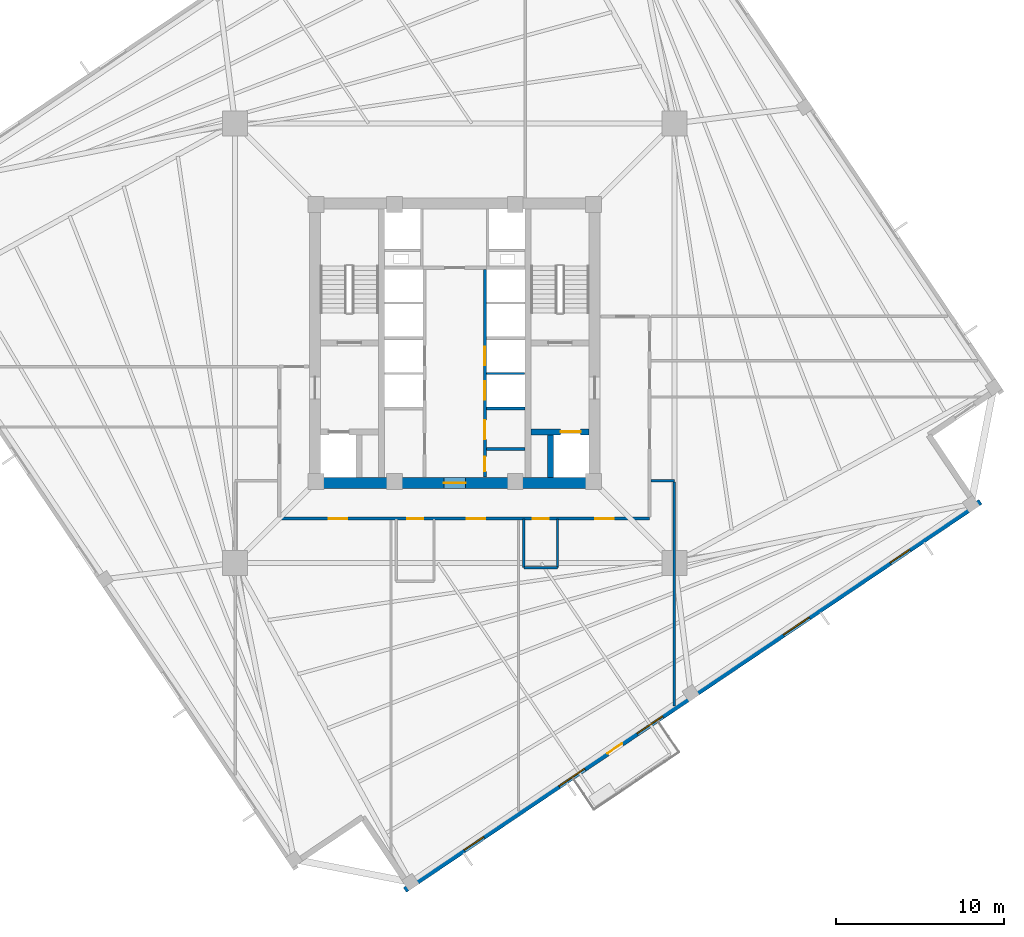
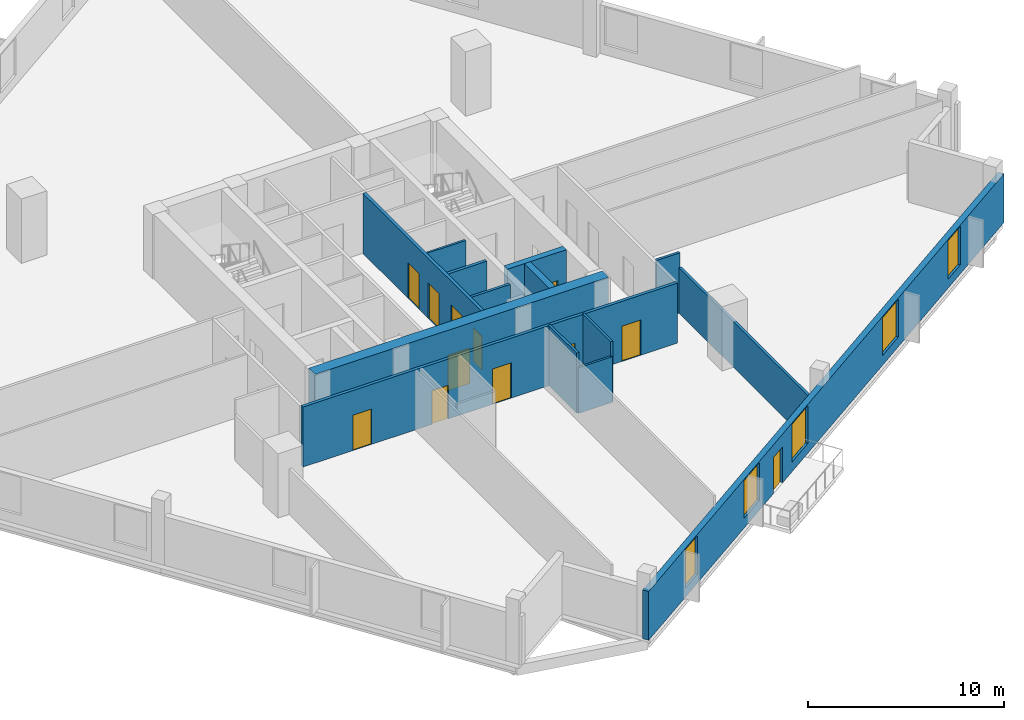
# One storey, part 3 of 8: 14 walls, 12 doors, 5 windows, 17 openings.
"""IFC4 building model written with IfcOpenShell, lengths in metres."""

from ifc_helpers import new_model, si_unit, direction, frame, frame_2d, origin, place, context, subcontext, project, spatial, rectangle, extrude, source, transform, mapped, material, layer, layer_set, type_object, element, fill, save


model = new_model("IFC4")

# Units and contexts
model_context = context("Model", 3, precision=1e-05, world=origin(), true_north=direction((0.0, 1.0)))
body_context = subcontext(model_context, "Body", "Model", "MODEL_VIEW")
ifc_project = project(units=[si_unit("LENGTHUNIT", "METRE"), si_unit("AREAUNIT", "SQUARE_METRE"), si_unit("VOLUMEUNIT", "CUBIC_METRE"), si_unit("PLANEANGLEUNIT", "RADIAN"), si_unit("MASSUNIT", "GRAM", prefix="KILO"), si_unit("THERMODYNAMICTEMPERATUREUNIT", "KELVIN")], contexts=[model_context])

# Site, building, storey
site_placement = place(None, origin())
site = spatial("IfcSite", under=ifc_project, at=site_placement, CompositionType="ELEMENT")
building_placement = place(site_placement, origin())
building = spatial("IfcBuilding", under=site, at=building_placement, Name="Kosmvard Interchange Tower", CompositionType="ELEMENT")
storey_placement = place(building_placement, frame((0.0, 0.0, 176.39990234375)))
storey = spatial("IfcBuildingStorey", under=building, at=storey_placement, Name="L42", CompositionType="ELEMENT", Elevation=176.39990234375)

# Walls
ifc_material_1 = material(Name="Acoustic gypsum partition system")
ifc_layer_1 = layer(ifc_material_1, 0.14990234375, Name="Acoustic gypsum partition system")
ifc_layer_set_1 = layer_set([ifc_layer_1], Name="Acoustic gypsum partition system")
wall_type_1 = type_object("IfcWallType", Name="Acoustic Suite & Meeting Partition 150", PredefinedType="PARTITIONING", material=ifc_layer_set_1)
wall_1_placement = place(storey_placement, frame((11.695068359375, -8.199951171875, 0.0), z_axis=(0.0, 0.0, 1.0), x_axis=(1.0, 0.0, 0.0)))
element("IfcWall", 1, at=wall_1_placement, inside=storey, type_object=wall_type_1, Name="L42 Room Partition 10.1", PredefinedType="PARTITIONING", context=body_context, shape_type="SweptSolid", body=[
    extrude(rectangle(XDim=1.385986328125, YDim=0.14990234375, at=frame_2d((0.69287109375, 0.0))), origin(), (0.0, 0.0, 1.0), 3.739990234375),
])
wall_2_placement = place(storey_placement, frame((13.0810546875, -8.27490234375, 0.0), z_axis=(0.0, 0.0, 1.0), x_axis=(0.0, -1.0, 0.0)))
element("IfcWall", 2, at=wall_2_placement, inside=storey, type_object=wall_type_1, Name="L42 Room Partition 11.1", PredefinedType="PARTITIONING", context=body_context, shape_type="SweptSolid", body=[
    extrude(rectangle(XDim=13.32861328125, YDim=0.14990234375, at=frame_2d((6.664306640625, 0.0))), origin(), (0.0, 0.0, 1.0), 2.840087890625),
])
ifc_material_2 = material(Name="Fire-rated gypsum partition system")
ifc_layer_2 = layer(ifc_material_2, 0.159912109375, Name="Fire-rated gypsum partition system")
ifc_layer_set_2 = layer_set([ifc_layer_2], Name="Fire-rated gypsum partition system")
wall_type_2 = type_object("IfcWallType", Name="Core Compartment & Shuttle Lobby Partition 160", PredefinedType="PARTITIONING", material=ifc_layer_set_2)
wall_3_placement = place(storey_placement, frame((1.889892578125, -6.300048828125, 0.0), z_axis=(0.0, 0.0, 1.0), x_axis=(1.0, 0.0, 0.0)))
element("IfcWall", 3, at=wall_3_placement, inside=storey, type_object=wall_type_2, Name="L42 Reclaimed Split E", PredefinedType="PARTITIONING", context=body_context, shape_type="SweptSolid", body=[
    extrude(rectangle(XDim=2.280029296875, YDim=0.159912109375, at=frame_2d((1.14013671875, 0.0))), origin(), (0.0, 0.0, 1.0), 3.739990234375),
])

# Wall, openings, doors
ifc_layer_3 = layer(ifc_material_2, 0.179931640625, Name="Fire-rated gypsum partition system")
ifc_layer_set_3 = layer_set([ifc_layer_3], Name="Fire-rated gypsum partition system")
wall_type_3 = type_object("IfcWallType", Name="Corridor & Hotel Compartment Partition 180", PredefinedType="PARTITIONING", material=ifc_layer_set_3)
wall_4_placement = place(storey_placement, frame((1.7900390625, -7.97998046875, 0.0), z_axis=(0.0, 0.0, 1.0), x_axis=(0.0, 1.0, 0.0)))
wall_4 = element("IfcWall", 4, at=wall_4_placement, inside=storey, type_object=wall_type_3, Name="L42 East Lift Bank Front Wall", PredefinedType="PARTITIONING", context=body_context, shape_type="SweptSolid", body=[
    extrude(rectangle(XDim=12.3798828125, YDim=0.179931640625, at=frame_2d((6.18994140625, 0.0))), origin(), (0.0, 0.0, 1.0), 3.739990234375),
])
opening_1_placement = place(wall_4_placement, frame((4.60009765625, 0.0, 0.0)))
opening_1 = element("IfcOpeningElement", 5, at=opening_1_placement, cuts=wall_4, Name="Opening LD-PL-M3-L42", PredefinedType="OPENING", context=body_context, shape_type="SweptSolid", body=[
    extrude(rectangle(XDim=1.10009765625, YDim=2.199951171875, at=frame_2d((0.550048828125, 1.10009765625))), frame((0.0, 0.10009765625, 0.0), z_axis=(0.0, -1.0, 0.0), x_axis=(1.0, 0.0, 0.0)), (0.0, 0.0, 1.0), 0.199951171875),
])
opening_2_placement = place(wall_4_placement, frame((6.659912109375, 0.0, 0.0)))
opening_2 = element("IfcOpeningElement", 6, at=opening_2_placement, cuts=wall_4, Name="Opening LD-PL-M4-L42", PredefinedType="OPENING", context=body_context, shape_type="SweptSolid", body=[
    extrude(rectangle(XDim=1.10009765625, YDim=2.199951171875, at=frame_2d((0.550048828125, 1.10009765625))), frame((0.0, 0.10009765625, 0.0), z_axis=(0.0, -1.0, 0.0), x_axis=(1.0, 0.0, 0.0)), (0.0, 0.0, 1.0), 0.199951171875),
])
opening_3_placement = place(wall_4_placement, frame((0.35009765625, 0.0, 0.0)))
opening_3 = element("IfcOpeningElement", 7, at=opening_3_placement, cuts=wall_4, Name="Opening L42-CD2", PredefinedType="OPENING", context=body_context, shape_type="SweptSolid", body=[
    extrude(rectangle(XDim=0.8798828125, YDim=2.10009765625, at=frame_2d((0.43994140625, 1.050048828125))), frame((0.0, 0.10009765625, 0.0), z_axis=(0.0, -1.0, 0.0), x_axis=(1.0, 0.0, 0.0)), (0.0, 0.0, 1.0), 0.199951171875),
])
opening_4_placement = place(wall_4_placement, frame((2.25, 0.0, 0.0)))
opening_4 = element("IfcOpeningElement", 8, at=opening_4_placement, cuts=wall_4, Name="Opening L42-CD3", PredefinedType="OPENING", context=body_context, shape_type="SweptSolid", body=[
    extrude(rectangle(XDim=1.14990234375, YDim=2.25, at=frame_2d((0.574951171875, 1.125))), frame((0.0, 0.10009765625, 0.0), z_axis=(0.0, -1.0, 0.0), x_axis=(1.0, 0.0, 0.0)), (0.0, 0.0, 1.0), 0.199951171875),
])
ifc_material_3 = material(Name="Painted fire-rated steel leaf", Category="steel")
door_type_1 = type_object("IfcDoorType", Name="Plant & Riser Fire Door 1150x2250 EI60", OperationType="NOTDEFINED", PredefinedType="DOOR", material=ifc_material_3)
shared_shape_1 = source(origin(), body_context, "Body", "SweptSolid", [
    extrude(rectangle(XDim=1.14990234375, YDim=2.25, at=frame_2d((0.574951171875, 1.125))), frame((0.0, 0.02490234375, 0.0), z_axis=(0.0, -1.0, 0.0), x_axis=(1.0, 0.0, 0.0)), (0.0, 0.0, 1.0), 0.050048828125),
])
door_1_placement = place(opening_4_placement, frame((1.14990234375, 0.0, 0.0), z_axis=(0.0, 0.0, 1.0), x_axis=(-1.0, 0.0, 0.0)))
door_1 = element("IfcDoor", 9, at=door_1_placement, inside=storey, type_object=door_type_1, Name="L42 Core Pantry Door", OperationType="SINGLE_SWING_LEFT", OverallHeight=2.25, OverallWidth=1.14990234375, PredefinedType="DOOR", context=body_context, shape_type="MappedRepresentation", body=[
    mapped(shared_shape_1, transform((0.0, 0.0, 0.0), scale=1.0)),
])
fill(opening_4, door_1)
ifc_material_4 = material(Name="Brushed stainless steel sliding leaf", Category="steel")
door_type_2 = type_object("IfcDoorType", Name="Passenger Lift Sliding Landing Door 1100x2200 EI60", OperationType="DOUBLE_DOOR_SLIDING", PredefinedType="DOOR", material=ifc_material_4)
shared_shape_2 = source(origin(), body_context, "Body", "SweptSolid", [
    extrude(rectangle(XDim=1.10009765625, YDim=2.199951171875, at=frame_2d((0.550048828125, 1.10009765625))), frame((0.0, 0.02490234375, 0.0), z_axis=(0.0, -1.0, 0.0), x_axis=(1.0, 0.0, 0.0)), (0.0, 0.0, 1.0), 0.050048828125),
])
door_2_placement = place(opening_1_placement, origin())
door_2 = element("IfcDoor", 10, at=door_2_placement, inside=storey, type_object=door_type_2, Name="Lift PL-M3 Landing Door L42", OperationType="DOUBLE_DOOR_SLIDING", OverallHeight=2.199951171875, OverallWidth=1.10009765625, PredefinedType="DOOR", context=body_context, shape_type="MappedRepresentation", body=[
    mapped(shared_shape_2, transform((0.0, 0.0, 0.0), scale=1.0)),
])
fill(opening_1, door_2)
door_3_placement = place(opening_2_placement, origin())
door_3 = element("IfcDoor", 11, at=door_3_placement, inside=storey, type_object=door_type_2, Name="Lift PL-M4 Landing Door L42", OperationType="DOUBLE_DOOR_SLIDING", OverallHeight=2.199951171875, OverallWidth=1.10009765625, PredefinedType="DOOR", context=body_context, shape_type="MappedRepresentation", body=[
    mapped(shared_shape_2, transform((0.0, 0.0, 0.0), scale=1.0)),
])
fill(opening_2, door_3)
ifc_material_5 = material(Name="Painted fire-rated timber leaf", Category="wood")
door_type_3 = type_object("IfcDoorType", Name="Core Cupboard Fire Door 880x2100 EI30", OperationType="NOTDEFINED", PredefinedType="DOOR", material=ifc_material_5)
shared_shape_3 = source(origin(), body_context, "Body", "SweptSolid", [
    extrude(rectangle(XDim=0.8798828125, YDim=2.10009765625, at=frame_2d((0.43994140625, 1.050048828125))), frame((0.0, 0.02490234375, 0.0), z_axis=(0.0, -1.0, 0.0), x_axis=(1.0, 0.0, 0.0)), (0.0, 0.0, 1.0), 0.050048828125),
])
door_4_placement = place(opening_3_placement, frame((0.8798828125, 0.0, 0.0), z_axis=(0.0, 0.0, 1.0), x_axis=(-1.0, 0.0, 0.0)))
door_4 = element("IfcDoor", 12, at=door_4_placement, inside=storey, type_object=door_type_3, Name="L42 Core Cleaner Door", OperationType="SINGLE_SWING_RIGHT", OverallHeight=2.10009765625, OverallWidth=0.8798828125, PredefinedType="DOOR", context=body_context, shape_type="MappedRepresentation", body=[
    mapped(shared_shape_3, transform((0.0, 0.0, 0.0), scale=1.0)),
])
fill(opening_3, door_4)

wall_5_placement = place(storey_placement, frame((-10.449951171875, -10.449951171875, 0.0), z_axis=(0.0, 0.0, 1.0), x_axis=(1.0, 0.0, 0.0)))
wall_5 = element("IfcWall", 13, at=wall_5_placement, inside=storey, type_object=wall_type_3, Name="L42 Corridor Wall CS", PredefinedType="PARTITIONING", context=body_context, shape_type="SweptSolid", body=[
    extrude(rectangle(XDim=22.050048828125, YDim=0.179931640625, at=frame_2d((11.02490234375, 0.0))), origin(), (0.0, 0.0, 1.0), 3.739990234375),
])
opening_5_placement = place(wall_5_placement, frame((15.086181640625, 0.0, 0.0)))
opening_5 = element("IfcOpeningElement", 14, at=opening_5_placement, cuts=wall_5, Name="Opening L42-D01", PredefinedType="OPENING", context=body_context, shape_type="SweptSolid", body=[
    extrude(rectangle(XDim=0.949951171875, YDim=2.10009765625, at=frame_2d((0.47509765625, 1.050048828125))), frame((0.0, 0.10009765625, 0.0), z_axis=(0.0, -1.0, 0.0), x_axis=(1.0, 0.0, 0.0)), (0.0, 0.0, 1.0), 0.199951171875),
])
opening_6_placement = place(wall_5_placement, frame((7.611083984375, 0.0, 0.0)))
opening_6 = element("IfcOpeningElement", 15, at=opening_6_placement, cuts=wall_5, Name="Opening L42-D02", PredefinedType="OPENING", context=body_context, shape_type="SweptSolid", body=[
    extrude(rectangle(XDim=0.949951171875, YDim=2.10009765625, at=frame_2d((0.47509765625, 1.050048828125))), frame((0.0, 0.10009765625, 0.0), z_axis=(0.0, -1.0, 0.0), x_axis=(1.0, 0.0, 0.0)), (0.0, 0.0, 1.0), 0.199951171875),
])
opening_7_placement = place(wall_5_placement, frame((2.939453125, 0.0, 0.0)))
opening_7 = element("IfcOpeningElement", 16, at=opening_7_placement, cuts=wall_5, Name="Opening L42-D08", PredefinedType="OPENING", context=body_context, shape_type="SweptSolid", body=[
    extrude(rectangle(XDim=1.10009765625, YDim=2.199951171875, at=frame_2d((0.550048828125, 1.10009765625))), frame((0.0, 0.10009765625, 0.0), z_axis=(0.0, -1.0, 0.0), x_axis=(1.0, 0.0, 0.0)), (0.0, 0.0, 1.0), 0.199951171875),
])
opening_8_placement = place(wall_5_placement, frame((11.174560546875, 0.0, 0.0)))
opening_8 = element("IfcOpeningElement", 17, at=opening_8_placement, cuts=wall_5, Name="Opening L42-D09", PredefinedType="OPENING", context=body_context, shape_type="SweptSolid", body=[
    extrude(rectangle(XDim=1.10009765625, YDim=2.199951171875, at=frame_2d((0.550048828125, 1.10009765625))), frame((0.0, 0.10009765625, 0.0), z_axis=(0.0, -1.0, 0.0), x_axis=(1.0, 0.0, 0.0)), (0.0, 0.0, 1.0), 0.199951171875),
])
opening_9_placement = place(wall_5_placement, frame((18.80517578125, 0.0, 0.0)))
opening_9 = element("IfcOpeningElement", 18, at=opening_9_placement, cuts=wall_5, Name="Opening L42-D10", PredefinedType="OPENING", context=body_context, shape_type="SweptSolid", body=[
    extrude(rectangle(XDim=1.10009765625, YDim=2.199951171875, at=frame_2d((0.550048828125, 1.10009765625))), frame((0.0, 0.10009765625, 0.0), z_axis=(0.0, -1.0, 0.0), x_axis=(1.0, 0.0, 0.0)), (0.0, 0.0, 1.0), 0.199951171875),
])
ifc_material_6 = material(Name="Laminated moisture-resistant timber", Category="wood")
door_type_4 = type_object("IfcDoorType", Name="Accessible Washroom Door 950x2100", OperationType="NOTDEFINED", PredefinedType="DOOR", material=ifc_material_6)
shared_shape_4 = source(origin(), body_context, "Body", "SweptSolid", [
    extrude(rectangle(XDim=0.949951171875, YDim=2.10009765625, at=frame_2d((0.47509765625, 1.050048828125))), frame((0.0, 0.02490234375, 0.0), z_axis=(0.0, -1.0, 0.0), x_axis=(1.0, 0.0, 0.0)), (0.0, 0.0, 1.0), 0.050048828125),
])
door_5_placement = place(opening_5_placement, frame((0.949951171875, 0.0, 0.0), z_axis=(0.0, 0.0, 1.0), x_axis=(-1.0, 0.0, 0.0)))
door_5 = element("IfcDoor", 19, at=door_5_placement, inside=storey, type_object=door_type_4, Name="L42 Accessible Toilet Door", OperationType="SINGLE_SWING_LEFT", OverallHeight=2.10009765625, OverallWidth=0.949951171875, PredefinedType="DOOR", context=body_context, shape_type="MappedRepresentation", body=[
    mapped(shared_shape_4, transform((0.0, 0.0, 0.0), scale=1.0)),
])
fill(opening_5, door_5)
door_6_placement = place(opening_6_placement, frame((0.949951171875, 0.0, 0.0), z_axis=(0.0, 0.0, 1.0), x_axis=(-1.0, 0.0, 0.0)))
door_6 = element("IfcDoor", 20, at=door_6_placement, inside=storey, type_object=door_type_4, Name="L42 Public Floor Washroom Door", OperationType="SINGLE_SWING_RIGHT", OverallHeight=2.10009765625, OverallWidth=0.949951171875, PredefinedType="DOOR", context=body_context, shape_type="MappedRepresentation", body=[
    mapped(shared_shape_4, transform((0.0, 0.0, 0.0), scale=1.0)),
])
fill(opening_6, door_6)
ifc_material_7 = material(Name="Engineered oak fire-rated timber", Category="wood")
door_type_5 = type_object("IfcDoorType", Name="Office Suite Entrance Door 1100x2200 FD30S", OperationType="NOTDEFINED", PredefinedType="DOOR", material=ifc_material_7)
door_7_placement = place(opening_7_placement, frame((1.10009765625, 0.0, 0.0), z_axis=(0.0, 0.0, 1.0), x_axis=(-1.0, 0.0, 0.0)))
door_7 = element("IfcDoor", 21, at=door_7_placement, inside=storey, type_object=door_type_5, Name="L42 Trader Quiet Lounge Door", OperationType="SINGLE_SWING_RIGHT", OverallHeight=2.199951171875, OverallWidth=1.10009765625, PredefinedType="DOOR", context=body_context, shape_type="MappedRepresentation", body=[
    mapped(shared_shape_2, transform((0.0, 0.0, 0.0), scale=1.0)),
])
fill(opening_7, door_7)
door_8_placement = place(opening_8_placement, frame((1.10009765625, 0.0, 0.0), z_axis=(0.0, 0.0, 1.0), x_axis=(-1.0, 0.0, 0.0)))
door_8 = element("IfcDoor", 22, at=door_8_placement, inside=storey, type_object=door_type_5, Name="L42 Exchange Visitor Reception Door", OperationType="SINGLE_SWING_LEFT", OverallHeight=2.199951171875, OverallWidth=1.10009765625, PredefinedType="DOOR", context=body_context, shape_type="MappedRepresentation", body=[
    mapped(shared_shape_2, transform((0.0, 0.0, 0.0), scale=1.0)),
])
fill(opening_8, door_8)
door_9_placement = place(opening_9_placement, frame((1.10009765625, 0.0, 0.0), z_axis=(0.0, 0.0, 1.0), x_axis=(-1.0, 0.0, 0.0)))
door_9 = element("IfcDoor", 23, at=door_9_placement, inside=storey, type_object=door_type_5, Name="L42 Executive Study Room Door", OperationType="SINGLE_SWING_RIGHT", OverallHeight=2.199951171875, OverallWidth=1.10009765625, PredefinedType="DOOR", context=body_context, shape_type="MappedRepresentation", body=[
    mapped(shared_shape_2, transform((0.0, 0.0, 0.0), scale=1.0)),
])
fill(opening_9, door_9)

# Wall, opening, door
ifc_material_8 = material(Name="Concrete C70/85", Category="concrete")
ifc_layer_4 = layer(ifc_material_8, 0.64990234375, Name="Concrete C70/85")
ifc_layer_set_4 = layer_set([ifc_layer_4], Name="Concrete C70/85")
wall_type_4 = type_object("IfcWallType", Name="Mid Core Shear Wall 650 C70/85", PredefinedType="SHEAR", material=ifc_layer_set_4)
wall_6_placement = place(storey_placement, frame((-8.64990234375, -8.324951171875, 0.0), z_axis=(0.0, 0.0, 1.0), x_axis=(1.0, 0.0, 0.0)))
wall_6 = element("IfcWall", 24, at=wall_6_placement, inside=storey, type_object=wall_type_4, Name="L42 Core Shear Wall CW-S", PredefinedType="SHEAR", context=body_context, shape_type="SweptSolid", body=[
    extrude(rectangle(XDim=17.2998046875, YDim=0.64990234375, at=frame_2d((8.64990234375, 0.0))), origin(), (0.0, 0.0, 1.0), 4.0),
])
opening_10_placement = place(wall_6_placement, frame((8.0, 0.0, 0.0)))
opening_10 = element("IfcOpeningElement", 25, at=opening_10_placement, cuts=wall_6, Name="Opening L42-LD0", PredefinedType="OPENING", context=body_context, shape_type="SweptSolid", body=[
    extrude(rectangle(XDim=1.300048828125, YDim=2.199951171875, at=frame_2d((0.64990234375, 1.10009765625))), frame((0.0, 0.3349609375, 0.0), z_axis=(0.0, -1.0, 0.0), x_axis=(1.0, 0.0, 0.0)), (0.0, 0.0, 1.0), 0.669921875),
])
door_type_6 = type_object("IfcDoorType", Name="Firefighting Lobby Door 1300x2200 EI60", OperationType="NOTDEFINED", PredefinedType="DOOR", material=ifc_material_3)
shared_shape_5 = source(origin(), body_context, "Body", "SweptSolid", [
    extrude(rectangle(XDim=1.300048828125, YDim=2.199951171875, at=frame_2d((0.64990234375, 1.10009765625))), frame((0.0, 0.02490234375, 0.0), z_axis=(0.0, -1.0, 0.0), x_axis=(1.0, 0.0, 0.0)), (0.0, 0.0, 1.0), 0.050048828125),
])
door_10_placement = place(opening_10_placement, frame((1.300048828125, 0.0, 0.0), z_axis=(0.0, 0.0, 1.0), x_axis=(-1.0, 0.0, 0.0)))
door_10 = element("IfcDoor", 26, at=door_10_placement, inside=storey, type_object=door_type_6, Name="L42 Passenger Lift Lobby South Door", OperationType="SINGLE_SWING_RIGHT", OverallHeight=2.199951171875, OverallWidth=1.300048828125, PredefinedType="DOOR", context=body_context, shape_type="MappedRepresentation", body=[
    mapped(shared_shape_5, transform((0.0, 0.0, 0.0), scale=1.0)),
])
fill(opening_10, door_10)

# Wall, openings, door, windows
ifc_material_9 = material(Name="Precast concrete C45/55", Category="concrete")
ifc_layer_5 = layer(ifc_material_9, 0.340087890625, Name="Precast concrete C45/55")
ifc_layer_set_5 = layer_set([ifc_layer_5], Name="Precast concrete C45/55")
wall_type_5 = type_object("IfcWallType", Name="Mid Tower Precast Pier Wall 340 C45/55", PredefinedType="STANDARD", material=ifc_layer_set_5)
wall_7_placement = place(storey_placement, frame((-2.971923828125, -32.55810546875, 0.0), z_axis=(0.0, 0.0, 1.0), x_axis=(0.829036218961, 0.559194910251, 0.0)))
wall_7 = element("IfcWall", 27, at=wall_7_placement, inside=storey, type_object=wall_type_5, Name="L42 Precast Facade Wall F-S", PredefinedType="STANDARD", context=body_context, shape_type="SweptSolid", body=[
    extrude(rectangle(XDim=41.340087890625, YDim=0.340087890625, at=frame_2d((20.669921875, 0.0))), origin(), (0.0, 0.0, 1.0), 3.0400390625),
])
opening_11_placement = place(wall_7_placement, frame((14.544921875, 0.0, 0.0)))
opening_11 = element("IfcOpeningElement", 28, at=opening_11_placement, cuts=wall_7, Name="Opening L42-BDS", PredefinedType="OPENING", context=body_context, shape_type="SweptSolid", body=[
    extrude(rectangle(XDim=1.050048828125, YDim=2.25, at=frame_2d((0.52490234375, 1.125))), frame((0.0, 0.18017578125, 0.0), z_axis=(0.0, -1.0, 0.0), x_axis=(1.0, 0.0, 0.0)), (0.0, 0.0, 1.0), 0.360107421875),
])
opening_12_placement = place(wall_7_placement, frame((4.2607421875, 0.0, 0.56005859375)))
opening_12 = element("IfcOpeningElement", 29, at=opening_12_placement, cuts=wall_7, Name="Opening L42-W01", PredefinedType="OPENING", context=body_context, shape_type="SweptSolid", body=[
    extrude(rectangle(XDim=1.39990234375, YDim=2.39990234375, at=frame_2d((0.699951171875, 1.199951171875))), frame((0.0, 0.18017578125, 0.0), z_axis=(0.0, -1.0, 0.0), x_axis=(1.0, 0.0, 0.0)), (0.0, 0.0, 1.0), 0.360107421875),
])
opening_13_placement = place(wall_7_placement, frame((11.063720703125, 0.0, 0.610107421875)))
opening_13 = element("IfcOpeningElement", 30, at=opening_13_placement, cuts=wall_7, Name="Opening L42-W02", PredefinedType="OPENING", context=body_context, shape_type="SweptSolid", body=[
    extrude(rectangle(XDim=1.85009765625, YDim=2.35009765625, at=frame_2d((0.925048828125, 1.175048828125))), frame((0.0, 0.18017578125, 0.0), z_axis=(0.0, -1.0, 0.0), x_axis=(1.0, 0.0, 0.0)), (0.0, 0.0, 1.0), 0.360107421875),
])
opening_14_placement = place(wall_7_placement, frame((16.668212890625, 0.0, 0.610107421875)))
opening_14 = element("IfcOpeningElement", 31, at=opening_14_placement, cuts=wall_7, Name="Opening L42-W03", PredefinedType="OPENING", context=body_context, shape_type="SweptSolid", body=[
    extrude(rectangle(XDim=1.85009765625, YDim=2.35009765625, at=frame_2d((0.925048828125, 1.175048828125))), frame((0.0, 0.18017578125, 0.0), z_axis=(0.0, -1.0, 0.0), x_axis=(1.0, 0.0, 0.0)), (0.0, 0.0, 1.0), 0.360107421875),
])
opening_15_placement = place(wall_7_placement, frame((27.186279296875, 0.0, 0.610107421875)))
opening_15 = element("IfcOpeningElement", 32, at=opening_15_placement, cuts=wall_7, Name="Opening L42-W04", PredefinedType="OPENING", context=body_context, shape_type="SweptSolid", body=[
    extrude(rectangle(XDim=1.85009765625, YDim=2.35009765625, at=frame_2d((0.925048828125, 1.175048828125))), frame((0.0, 0.18017578125, 0.0), z_axis=(0.0, -1.0, 0.0), x_axis=(1.0, 0.0, 0.0)), (0.0, 0.0, 1.0), 0.360107421875),
])
opening_16_placement = place(wall_7_placement, frame((34.852294921875, 0.0, 0.56005859375)))
opening_16 = element("IfcOpeningElement", 33, at=opening_16_placement, cuts=wall_7, Name="Opening L42-W05", PredefinedType="OPENING", context=body_context, shape_type="SweptSolid", body=[
    extrude(rectangle(XDim=1.39990234375, YDim=2.39990234375, at=frame_2d((0.699951171875, 1.199951171875))), frame((0.0, 0.18017578125, 0.0), z_axis=(0.0, -1.0, 0.0), x_axis=(1.0, 0.0, 0.0)), (0.0, 0.0, 1.0), 0.360107421875),
])
ifc_material_10 = material(Name="Anodised aluminium and safety glass", Category="aluminium")
door_type_7 = type_object("IfcDoorType", Name="Tree-Balcony Glazed Door 1050x2250", OperationType="NOTDEFINED", PredefinedType="DOOR", material=ifc_material_10)
shared_shape_6 = source(origin(), body_context, "Body", "SweptSolid", [
    extrude(rectangle(XDim=1.050048828125, YDim=2.25, at=frame_2d((0.52490234375, 1.125))), frame((0.0, 0.02490234375, 0.0), z_axis=(0.0, -1.0, 0.0), x_axis=(1.0, 0.0, 0.0)), (0.0, 0.0, 1.0), 0.050048828125),
])
door_11_placement = place(opening_11_placement, origin())
door_11 = element("IfcDoor", 34, at=door_11_placement, inside=storey, type_object=door_type_7, Name="L42 Tree-Balcony Door BAL-L42-S", OperationType="SINGLE_SWING_LEFT", OverallHeight=2.25, OverallWidth=1.050048828125, PredefinedType="DOOR", context=body_context, shape_type="MappedRepresentation", body=[
    mapped(shared_shape_6, transform((0.0, 0.0, 0.0), scale=1.0)),
])
fill(opening_11, door_11)
ifc_material_11 = material(Name="Low-E solar-control double glazing", Category="glass")
window_type_1 = type_object("IfcWindowType", Name="Notched Corner Feature Window 1400x2400", PartitioningType="SINGLE_PANEL", PredefinedType="WINDOW", material=ifc_material_11)
shared_shape_7 = source(origin(), body_context, "Body", "SweptSolid", [
    extrude(rectangle(XDim=1.39990234375, YDim=2.39990234375, at=frame_2d((0.699951171875, 1.199951171875))), frame((0.0, 0.030029296875, 0.0), z_axis=(0.0, -1.0, 0.0), x_axis=(1.0, 0.0, 0.0)), (0.0, 0.0, 1.0), 0.06005859375),
])
window_1_placement = place(opening_12_placement, origin())
window_1 = element("IfcWindow", 35, at=window_1_placement, inside=storey, type_object=window_type_1, Name="L42 Facade Punched Window 01", OverallHeight=2.39990234375, OverallWidth=1.39990234375, PartitioningType="SINGLE_PANEL", PredefinedType="WINDOW", context=body_context, shape_type="MappedRepresentation", body=[
    mapped(shared_shape_7, transform((0.0, 0.0, 0.0), scale=1.0)),
])
fill(opening_12, window_1)
window_2_placement = place(opening_16_placement, origin())
window_2 = element("IfcWindow", 36, at=window_2_placement, inside=storey, type_object=window_type_1, Name="L42 Facade Punched Window 05", OverallHeight=2.39990234375, OverallWidth=1.39990234375, PartitioningType="SINGLE_PANEL", PredefinedType="WINDOW", context=body_context, shape_type="MappedRepresentation", body=[
    mapped(shared_shape_7, transform((0.0, 0.0, 0.0), scale=1.0)),
])
fill(opening_16, window_2)
window_type_2 = type_object("IfcWindowType", Name="Zone 3 Office Punched Window 1850x2350", PartitioningType="SINGLE_PANEL", PredefinedType="WINDOW", material=ifc_material_11)
shared_shape_8 = source(origin(), body_context, "Body", "SweptSolid", [
    extrude(rectangle(XDim=1.85009765625, YDim=2.35009765625, at=frame_2d((0.925048828125, 1.175048828125))), frame((0.0, 0.030029296875, 0.0), z_axis=(0.0, -1.0, 0.0), x_axis=(1.0, 0.0, 0.0)), (0.0, 0.0, 1.0), 0.06005859375),
])
window_3_placement = place(opening_13_placement, origin())
window_3 = element("IfcWindow", 37, at=window_3_placement, inside=storey, type_object=window_type_2, Name="L42 Facade Punched Window 02", OverallHeight=2.35009765625, OverallWidth=1.85009765625, PartitioningType="SINGLE_PANEL", PredefinedType="WINDOW", context=body_context, shape_type="MappedRepresentation", body=[
    mapped(shared_shape_8, transform((0.0, 0.0, 0.0), scale=1.0)),
])
fill(opening_13, window_3)
window_4_placement = place(opening_14_placement, origin())
window_4 = element("IfcWindow", 38, at=window_4_placement, inside=storey, type_object=window_type_2, Name="L42 Facade Punched Window 03", OverallHeight=2.35009765625, OverallWidth=1.85009765625, PartitioningType="SINGLE_PANEL", PredefinedType="WINDOW", context=body_context, shape_type="MappedRepresentation", body=[
    mapped(shared_shape_8, transform((0.0, 0.0, 0.0), scale=1.0)),
])
fill(opening_14, window_4)
window_5_placement = place(opening_15_placement, origin())
window_5 = element("IfcWindow", 39, at=window_5_placement, inside=storey, type_object=window_type_2, Name="L42 Facade Punched Window 04", OverallHeight=2.35009765625, OverallWidth=1.85009765625, PartitioningType="SINGLE_PANEL", PredefinedType="WINDOW", context=body_context, shape_type="MappedRepresentation", body=[
    mapped(shared_shape_8, transform((0.0, 0.0, 0.0), scale=1.0)),
])
fill(opening_15, window_5)

# Walls
ifc_material_12 = material(Name="Concrete blockwork masonry", Category="masonry")
ifc_layer_6 = layer(ifc_material_12, 0.179931640625, Name="Concrete blockwork masonry")
ifc_layer_set_6 = layer_set([ifc_layer_6], Name="Concrete blockwork masonry")
wall_type_6 = type_object("IfcWallType", Name="Riser & Lift Bank Divider Wall 180", PredefinedType="PARTITIONING", material=ifc_layer_set_6)
wall_8_placement = place(storey_placement, frame((1.889892578125, -3.89990234375, 0.0), z_axis=(0.0, 0.0, 1.0), x_axis=(1.0, 0.0, 0.0)))
element("IfcWall", 40, at=wall_8_placement, inside=storey, type_object=wall_type_6, Name="L42 East Bank Divider BD1", PredefinedType="PARTITIONING", context=body_context, shape_type="SweptSolid", body=[
    extrude(rectangle(XDim=2.280029296875, YDim=0.179931640625, at=frame_2d((1.14013671875, 0.0))), origin(), (0.0, 0.0, 1.0), 3.739990234375),
])
ifc_material_13 = material(Name="Fire-rated gypsum shaftwall system")
ifc_layer_7 = layer(ifc_material_13, 0.1201171875, Name="Fire-rated gypsum shaftwall system")
ifc_layer_set_7 = layer_set([ifc_layer_7], Name="Fire-rated gypsum shaftwall system")
wall_type_7 = type_object("IfcWallType", Name="Shaft & Riser Fire Partition 120 EI60", PredefinedType="PARTITIONING", material=ifc_layer_set_7)
wall_9_placement = place(storey_placement, frame((1.89990234375, -1.800048828125, 0.0), z_axis=(0.0, 0.0, 1.0), x_axis=(1.0, 0.0, 0.0)))
element("IfcWall", 41, at=wall_9_placement, inside=storey, type_object=wall_type_7, Name="L42 Shaft Divider PL-M3", PredefinedType="PARTITIONING", context=body_context, shape_type="SweptSolid", body=[
    extrude(rectangle(XDim=2.260009765625, YDim=0.1201171875, at=frame_2d((1.1298828125, 0.0))), origin(), (0.0, 0.0, 1.0), 3.739990234375),
])

# Wall, opening, door
ifc_material_14 = material(Name="Concrete C60/75", Category="concrete")
ifc_layer_8 = layer(ifc_material_14, 0.360107421875, Name="Concrete C60/75")
ifc_layer_set_8 = layer_set([ifc_layer_8], Name="Concrete C60/75")
wall_type_8 = type_object("IfcWallType", Name="Stair & Lift Shaft Shear Wall 360 C60/75", PredefinedType="SHEAR", material=ifc_layer_set_8)
wall_10_placement = place(storey_placement, frame((4.5400390625, -5.280029296875, 0.0), z_axis=(0.0, 0.0, 1.0), x_axis=(1.0, 0.0, 0.0)))
wall_10 = element("IfcWall", 42, at=wall_10_placement, inside=storey, type_object=wall_type_8, Name="L42 Shaft Shear Wall SW-FF2", PredefinedType="SHEAR", context=body_context, shape_type="SweptSolid", body=[
    extrude(rectangle(XDim=3.4599609375, YDim=0.360107421875, at=frame_2d((1.72998046875, 0.0))), origin(), (0.0, 0.0, 1.0), 4.0),
])
opening_17_placement = place(wall_10_placement, frame((1.760009765625, 0.0, 0.0)))
opening_17 = element("IfcOpeningElement", 43, at=opening_17_placement, cuts=wall_10, Name="Opening LD-FF-2-L42", PredefinedType="OPENING", context=body_context, shape_type="SweptSolid", body=[
    extrude(rectangle(XDim=1.199951171875, YDim=2.25, at=frame_2d((0.60009765625, 1.125))), frame((0.0, 0.18994140625, 0.0), z_axis=(0.0, -1.0, 0.0), x_axis=(1.0, 0.0, 0.0)), (0.0, 0.0, 1.0), 0.380126953125),
])
door_type_8 = type_object("IfcDoorType", Name="Firefighting Lift Sliding Landing Door 1200x2250 EI120", OperationType="DOUBLE_DOOR_SLIDING", PredefinedType="DOOR", material=ifc_material_4)
shared_shape_9 = source(origin(), body_context, "Body", "SweptSolid", [
    extrude(rectangle(XDim=1.199951171875, YDim=2.25, at=frame_2d((0.60009765625, 1.125))), frame((0.0, 0.02490234375, 0.0), z_axis=(0.0, -1.0, 0.0), x_axis=(1.0, 0.0, 0.0)), (0.0, 0.0, 1.0), 0.050048828125),
])
door_12_placement = place(opening_17_placement, origin())
door_12 = element("IfcDoor", 44, at=door_12_placement, inside=storey, type_object=door_type_8, Name="Lift FF-2 Landing Door L42", OperationType="DOUBLE_DOOR_SLIDING", OverallHeight=2.25, OverallWidth=1.199951171875, PredefinedType="DOOR", context=body_context, shape_type="MappedRepresentation", body=[
    mapped(shared_shape_9, transform((0.0, 0.0, 0.0), scale=1.0)),
])
fill(opening_17, door_12)

# Walls
wall_11_placement = place(storey_placement, frame((5.7099609375, -8.0, 0.0), z_axis=(0.0, 0.0, 1.0), x_axis=(0.0, 1.0, 0.0)))
element("IfcWall", 45, at=wall_11_placement, inside=storey, type_object=wall_type_8, Name="L42 Shaft Shear Wall SW-SM2", PredefinedType="SHEAR", context=body_context, shape_type="SweptSolid", body=[
    extrude(rectangle(XDim=2.5400390625, YDim=0.360107421875, at=frame_2d((1.27001953125, 0.0))), origin(), (0.0, 0.0, 1.0), 4.0),
])
ifc_material_15 = material(Name="Moisture-resistant gypsum partition")
ifc_layer_9 = layer(ifc_material_15, 0.135009765625, Name="Moisture-resistant gypsum partition")
ifc_layer_set_9 = layer_set([ifc_layer_9], Name="Moisture-resistant gypsum partition")
wall_type_9 = type_object("IfcWallType", Name="Wet Room Moisture-Resistant Partition 135", PredefinedType="PARTITIONING", material=ifc_layer_set_9)
wall_12_placement = place(storey_placement, frame((4.111083984375, -13.3701171875, 0.0), z_axis=(0.0, 0.0, 1.0), x_axis=(1.0, 0.0, 0.0)))
element("IfcWall", 46, at=wall_12_placement, inside=storey, type_object=wall_type_9, Name="L42 Washroom Partition AWC1-S", PredefinedType="PARTITIONING", context=body_context, shape_type="SweptSolid", body=[
    extrude(rectangle(XDim=2.0, YDim=0.135009765625, at=frame_2d((1.0, 0.0))), origin(), (0.0, 0.0, 1.0), 2.840087890625),
])
for number, where, z_axis, x_axis, name in (
    (47, (6.111083984375, -13.3701171875, 0.0), (0.0, 0.0, 1.0), (0.0, 1.0, 0.0), "L42 Washroom Partition AWC1-E"),
    (48, (4.111083984375, -13.3701171875, 0.0), (0.0, 0.0, 1.0), (0.0, 1.0, 0.0), "L42 Washroom Partition AWC1-W"),
):
    element("IfcWall", number, at=place(storey_placement, frame(where, z_axis=z_axis, x_axis=x_axis)), inside=storey, type_object=wall_type_9, Name=name, PredefinedType="PARTITIONING", context=body_context, shape_type="SweptSolid", body=[
        extrude(rectangle(XDim=2.900146484375, YDim=0.135009765625, at=frame_2d((1.4501953125, 0.0))), origin(), (0.0, 0.0, 1.0), 3.739990234375),
    ])

save(model, "model.ifc")
